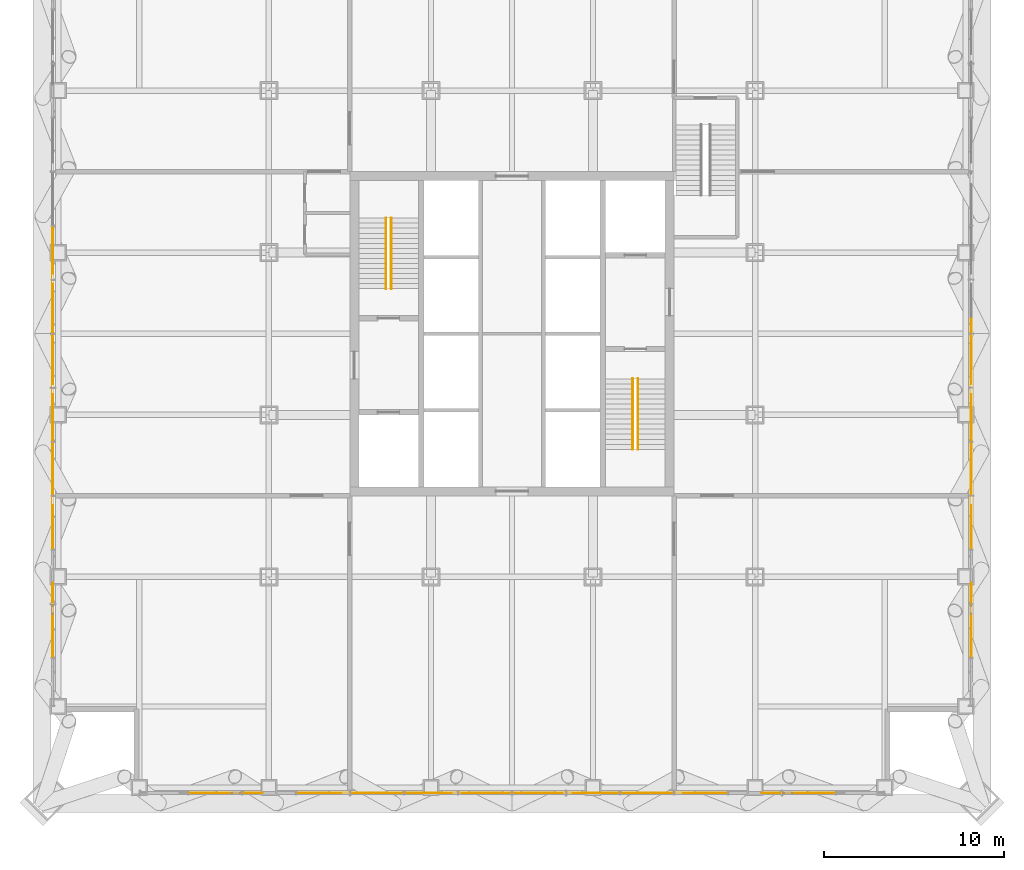
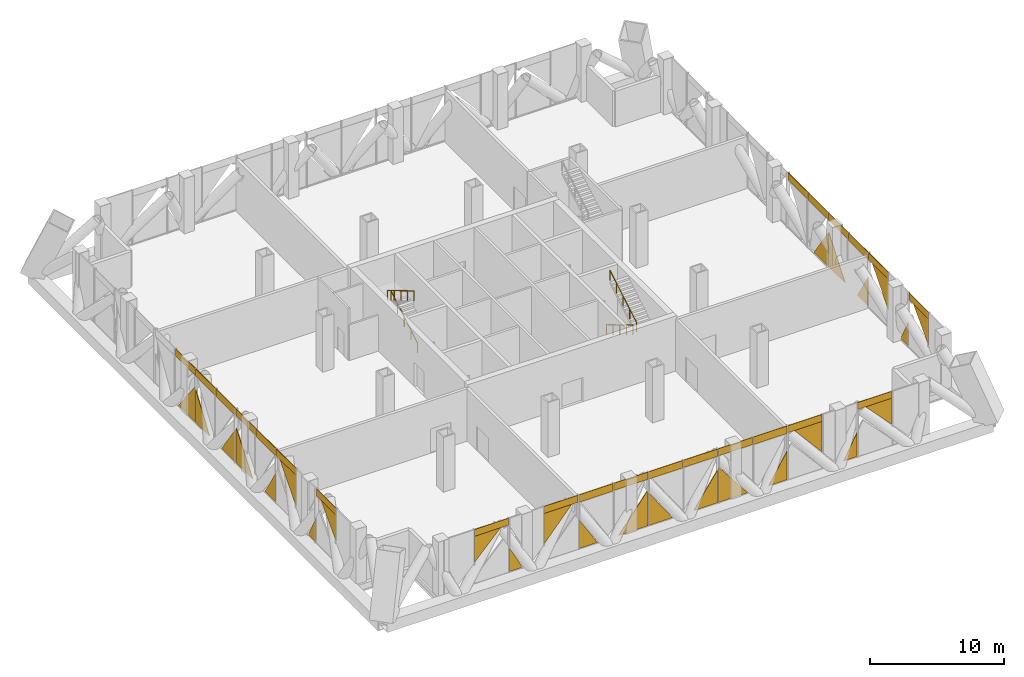
# One storey, part 16 of 26: 49 coverings, 4 railings.
"""IFC4 building model written with IfcOpenShell, lengths in metres."""

from ifc_helpers import new_model, si_unit, direction, frame, origin, origin_2d, place, context, subcontext, project, spatial, polyline, circle, outline, extrude, material, layer, layer_set, type_object, element, save


model = new_model("IFC4")

# Units and contexts
model_context = context("Model", 3, precision=1e-05, world=origin(), true_north=direction((0.0, 1.0)))
body_context = subcontext(model_context, "Body", "Model", "MODEL_VIEW")
ifc_project = project(units=[si_unit("LENGTHUNIT", "METRE"), si_unit("AREAUNIT", "SQUARE_METRE"), si_unit("VOLUMEUNIT", "CUBIC_METRE"), si_unit("PLANEANGLEUNIT", "RADIAN"), si_unit("MASSUNIT", "GRAM", prefix="KILO")], contexts=[model_context])

# Site, building, storey
site_placement = place(None, origin())
site = spatial("IfcSite", under=ifc_project, at=site_placement, CompositionType="ELEMENT")
building_placement = place(site_placement, origin())
building = spatial("IfcBuilding", under=site, at=building_placement, Name="Malebo Sky Hospital", CompositionType="ELEMENT")
storey_placement = place(building_placement, frame((0.0, 0.0, 95.0)))
storey = spatial("IfcBuildingStorey", under=building, at=storey_placement, Name="L22", CompositionType="ELEMENT", Elevation=95.0)

# Coverings
ifc_material_1 = material(Name="Anodised aluminium, natural silver insulated infill panel", Category="aluminium")
ifc_layer = layer(ifc_material_1, 0.0400390625)
ifc_layer_set = layer_set([ifc_layer], Name="BRACE INFILL PANEL 40")
covering_type = type_object("IfcCoveringType", Name="BRACE INFILL PANEL 40", PredefinedType="CLADDING", material=ifc_layer_set)
covering_1_placement = place(storey_placement, frame((34.5, 45.162353515625, 1.97998046875), z_axis=(0.0, 0.0, 1.0), x_axis=(0.0, 1.0, 0.0)))
element("IfcCovering", 1, at=covering_1_placement, inside=storey, type_object=covering_type, Name="Brace infill panel 2.1", PredefinedType="CLADDING", context=body_context, shape_type="SweptSolid", body=[
    extrude(outline(polyline([(-1.124755859375, 0.0), (1.124755859375, 2.38330078125), (-1.124755859375, 2.38330078125), (-1.124755859375, 0.0)])), frame((0.0, 0.02001953125, 0.0), z_axis=(0.0, -1.0, 0.0), x_axis=(1.0, 0.0, 0.0)), (0.0, 0.0, 1.0), 0.0400390625),
])
covering_2_placement = place(storey_placement, frame((34.5, 45.5, 4.36328125), z_axis=(0.0, 0.0, 1.0), x_axis=(0.0, 1.0, 0.0)))
element("IfcCovering", 2, at=covering_2_placement, inside=storey, type_object=covering_type, Name="Brace infill panel 2.2", PredefinedType="CLADDING", context=body_context, shape_type="SweptSolid", body=[
    extrude(outline(polyline([(-1.46240234375, 0.0), (1.46240234375, 0.0), (1.46240234375, 0.626708984375), (-1.46240234375, 0.626708984375), (-1.46240234375, 0.0)])), frame((0.0, 0.02001953125, 0.0), z_axis=(0.0, -1.0, 0.0), x_axis=(1.0, 0.0, 0.0)), (0.0, 0.0, 1.0), 0.0400390625),
])
covering_3_placement = place(storey_placement, frame((34.5, 47.60205078125, 0.10009765625), z_axis=(0.0, 0.0, 1.0), x_axis=(0.0, 1.0, 0.0)))
element("IfcCovering", 3, at=covering_3_placement, inside=storey, type_object=covering_type, Name="Brace infill panel 3.1", PredefinedType="CLADDING", context=body_context, shape_type="SweptSolid", body=[
    extrude(outline(polyline([(-0.564453125, 0.0), (0.564453125, 0.0), (-0.564453125, 2.160888671875), (-0.564453125, 0.0)])), frame((0.0, 0.02001953125, 0.0), z_axis=(0.0, -1.0, 0.0), x_axis=(1.0, 0.0, 0.0)), (0.0, 0.0, 1.0), 0.0400390625),
])
covering_4_placement = place(storey_placement, frame((34.5, 51.230712890625, 1.5751953125), z_axis=(0.0, 0.0, 1.0), x_axis=(0.0, 1.0, 0.0)))
element("IfcCovering", 4, at=covering_4_placement, inside=storey, type_object=covering_type, Name="Brace infill panel 4.1", PredefinedType="CLADDING", context=body_context, shape_type="SweptSolid", body=[
    extrude(outline(polyline([(-1.193115234375, 0.0), (1.193115234375, 2.776123046875), (-1.193115234375, 2.776123046875), (-1.193115234375, 0.0)])), frame((0.0, 0.02001953125, 0.0), z_axis=(0.0, -1.0, 0.0), x_axis=(1.0, 0.0, 0.0)), (0.0, 0.0, 1.0), 0.0400390625),
])
covering_5_placement = place(storey_placement, frame((34.5, 51.5, 4.351318359375), z_axis=(0.0, 0.0, 1.0), x_axis=(0.0, 1.0, 0.0)))
element("IfcCovering", 5, at=covering_5_placement, inside=storey, type_object=covering_type, Name="Brace infill panel 4.2", PredefinedType="CLADDING", context=body_context, shape_type="SweptSolid", body=[
    extrude(outline(polyline([(-1.46240234375, 0.0), (1.46240234375, 0.0), (1.46240234375, 0.638671875), (-1.46240234375, 0.638671875), (-1.46240234375, 0.0)])), frame((0.0, 0.02001953125, 0.0), z_axis=(0.0, -1.0, 0.0), x_axis=(1.0, 0.0, 0.0)), (0.0, 0.0, 1.0), 0.0400390625),
])
covering_6_placement = place(storey_placement, frame((34.5, 53.83251953125, 0.099853515625), z_axis=(0.0, 0.0, 1.0), x_axis=(0.0, 1.0, 0.0)))
element("IfcCovering", 6, at=covering_6_placement, inside=storey, type_object=covering_type, Name="Brace infill panel 5.1", PredefinedType="CLADDING", context=body_context, shape_type="SweptSolid", body=[
    extrude(outline(polyline([(-0.795166015625, 0.0), (0.794921875, 0.0), (-0.795166015625, 2.62060546875), (-0.795166015625, 0.0)])), frame((0.0, 0.02001953125, 0.0), z_axis=(0.0, -1.0, 0.0), x_axis=(1.0, 0.0, 0.0)), (0.0, 0.0, 1.0), 0.0400390625),
])
covering_7_placement = place(storey_placement, frame((34.5, 54.5, 4.307373046875), z_axis=(0.0, 0.0, 1.0), x_axis=(0.0, 1.0, 0.0)))
element("IfcCovering", 7, at=covering_7_placement, inside=storey, type_object=covering_type, Name="Brace infill panel 5.2", PredefinedType="CLADDING", context=body_context, shape_type="SweptSolid", body=[
    extrude(outline(polyline([(-1.46240234375, 0.0), (1.46240234375, 0.0), (1.46240234375, 0.6826171875), (-1.46240234375, 0.6826171875), (-1.46240234375, 0.0)])), frame((0.0, 0.02001953125, 0.0), z_axis=(0.0, -1.0, 0.0), x_axis=(1.0, 0.0, 0.0)), (0.0, 0.0, 1.0), 0.0400390625),
])
covering_8_placement = place(storey_placement, frame((34.5, 57.706298828125, 0.10009765625), z_axis=(0.0, 0.0, 1.0), x_axis=(0.0, 1.0, 0.0)))
element("IfcCovering", 8, at=covering_8_placement, inside=storey, type_object=covering_type, Name="Brace infill panel 6.1", PredefinedType="CLADDING", context=body_context, shape_type="SweptSolid", body=[
    extrude(outline(polyline([(-1.256103515625, 0.0), (1.256103515625, 0.0), (1.256103515625, 3.0771484375), (1.196533203125, 3.16357421875), (-1.256103515625, 0.0)])), frame((0.0, 0.02001953125, 0.0), z_axis=(0.0, -1.0, 0.0), x_axis=(1.0, 0.0, 0.0)), (0.0, 0.0, 1.0), 0.0400390625),
])
covering_9_placement = place(storey_placement, frame((34.5, 57.5, 4.337890625), z_axis=(0.0, 0.0, 1.0), x_axis=(0.0, 1.0, 0.0)))
element("IfcCovering", 9, at=covering_9_placement, inside=storey, type_object=covering_type, Name="Brace infill panel 6.2", PredefinedType="CLADDING", context=body_context, shape_type="SweptSolid", body=[
    extrude(outline(polyline([(-1.46240234375, 0.0), (1.46240234375, 0.0), (1.46240234375, 0.652099609375), (-1.46240234375, 0.652099609375), (-1.46240234375, 0.0)])), frame((0.0, 0.02001953125, 0.0), z_axis=(0.0, -1.0, 0.0), x_axis=(1.0, 0.0, 0.0)), (0.0, 0.0, 1.0), 0.0400390625),
])
covering_10_placement = place(storey_placement, frame((34.5, 60.063232421875, 0.099853515625), z_axis=(0.0, 0.0, 1.0), x_axis=(0.0, 1.0, 0.0)))
element("IfcCovering", 10, at=covering_10_placement, inside=storey, type_object=covering_type, Name="Brace infill panel 7.1", PredefinedType="CLADDING", context=body_context, shape_type="SweptSolid", body=[
    extrude(outline(polyline([(-1.025634765625, 0.0), (1.025634765625, 0.0), (-1.025634765625, 2.96875), (-1.025634765625, 0.0)])), frame((0.0, 0.02001953125, 0.0), z_axis=(0.0, -1.0, 0.0), x_axis=(1.0, 0.0, 0.0)), (0.0, 0.0, 1.0), 0.0400390625),
])
covering_11_placement = place(storey_placement, frame((34.5, 60.5, 4.3232421875), z_axis=(0.0, 0.0, 1.0), x_axis=(0.0, 1.0, 0.0)))
element("IfcCovering", 11, at=covering_11_placement, inside=storey, type_object=covering_type, Name="Brace infill panel 7.2", PredefinedType="CLADDING", context=body_context, shape_type="SweptSolid", body=[
    extrude(outline(polyline([(-1.46240234375, 0.0), (1.46240234375, 0.0), (1.46240234375, 0.666748046875), (-1.46240234375, 0.666748046875), (-1.46240234375, 0.0)])), frame((0.0, 0.02001953125, 0.0), z_axis=(0.0, -1.0, 0.0), x_axis=(1.0, 0.0, 0.0)), (0.0, 0.0, 1.0), 0.0400390625),
])
covering_12_placement = place(storey_placement, frame((34.5, 63.936767578125, 0.099853515625), z_axis=(0.0, 0.0, 1.0), x_axis=(0.0, 1.0, 0.0)))
element("IfcCovering", 12, at=covering_12_placement, inside=storey, type_object=covering_type, Name="Brace infill panel 8.1", PredefinedType="CLADDING", context=body_context, shape_type="SweptSolid", body=[
    extrude(outline(polyline([(-1.025634765625, 0.0), (1.025634765625, 0.0), (1.025634765625, 2.96875), (-1.025634765625, 0.0)])), frame((0.0, 0.02001953125, 0.0), z_axis=(0.0, -1.0, 0.0), x_axis=(1.0, 0.0, 0.0)), (0.0, 0.0, 1.0), 0.0400390625),
])
covering_13_placement = place(storey_placement, frame((34.5, 63.5, 4.3232421875), z_axis=(0.0, 0.0, 1.0), x_axis=(0.0, 1.0, 0.0)))
element("IfcCovering", 13, at=covering_13_placement, inside=storey, type_object=covering_type, Name="Brace infill panel 8.2", PredefinedType="CLADDING", context=body_context, shape_type="SweptSolid", body=[
    extrude(outline(polyline([(-1.46240234375, 0.0), (1.46240234375, 0.0), (1.46240234375, 0.666748046875), (-1.46240234375, 0.666748046875), (-1.46240234375, 0.0)])), frame((0.0, 0.02001953125, 0.0), z_axis=(0.0, -1.0, 0.0), x_axis=(1.0, 0.0, 0.0)), (0.0, 0.0, 1.0), 0.0400390625),
])
covering_14_placement = place(storey_placement, frame((34.5, 66.293701171875, 0.10009765625), z_axis=(0.0, 0.0, 1.0), x_axis=(0.0, 1.0, 0.0)))
element("IfcCovering", 14, at=covering_14_placement, inside=storey, type_object=covering_type, Name="Brace infill panel 9.1", PredefinedType="CLADDING", context=body_context, shape_type="SweptSolid", body=[
    extrude(outline(polyline([(-1.256103515625, 0.0), (1.256103515625, 0.0), (-1.196533203125, 3.16357421875), (-1.256103515625, 3.0771484375), (-1.256103515625, 0.0)])), frame((0.0, 0.02001953125, 0.0), z_axis=(0.0, -1.0, 0.0), x_axis=(1.0, 0.0, 0.0)), (0.0, 0.0, 1.0), 0.0400390625),
])
covering_15_placement = place(storey_placement, frame((34.5, 66.5, 4.337890625), z_axis=(0.0, 0.0, 1.0), x_axis=(0.0, 1.0, 0.0)))
element("IfcCovering", 15, at=covering_15_placement, inside=storey, type_object=covering_type, Name="Brace infill panel 9.2", PredefinedType="CLADDING", context=body_context, shape_type="SweptSolid", body=[
    extrude(outline(polyline([(-1.46240234375, 0.0), (1.46240234375, 0.0), (1.46240234375, 0.652099609375), (-1.46240234375, 0.652099609375), (-1.46240234375, 0.0)])), frame((0.0, 0.02001953125, 0.0), z_axis=(0.0, -1.0, 0.0), x_axis=(1.0, 0.0, 0.0)), (0.0, 0.0, 1.0), 0.0400390625),
])
covering_16_placement = place(storey_placement, frame((76.837646484375, 36.5, 1.97998046875), z_axis=(0.0, 0.0, 1.0), x_axis=(-1.0, 0.0, 0.0)))
element("IfcCovering", 16, at=covering_16_placement, inside=storey, type_object=covering_type, Name="Brace infill panel 2.1", PredefinedType="CLADDING", context=body_context, shape_type="SweptSolid", body=[
    extrude(outline(polyline([(-1.124755859375, 0.0), (1.124755859375, 2.38330078125), (-1.124755859375, 2.38330078125), (-1.124755859375, 0.0)])), frame((0.0, 0.02001953125, 0.0), z_axis=(0.0, -1.0, 0.0), x_axis=(1.0, 0.0, 0.0)), (0.0, 0.0, 1.0), 0.0400390625),
])
covering_17_placement = place(storey_placement, frame((76.5, 36.5, 4.36328125), z_axis=(0.0, 0.0, 1.0), x_axis=(-1.0, 0.0, 0.0)))
element("IfcCovering", 17, at=covering_17_placement, inside=storey, type_object=covering_type, Name="Brace infill panel 2.2", PredefinedType="CLADDING", context=body_context, shape_type="SweptSolid", body=[
    extrude(outline(polyline([(-1.46240234375, 0.0), (1.46240234375, 0.0), (1.46240234375, 0.626708984375), (-1.46240234375, 0.626708984375), (-1.46240234375, 0.0)])), frame((0.0, 0.02001953125, 0.0), z_axis=(0.0, -1.0, 0.0), x_axis=(1.0, 0.0, 0.0)), (0.0, 0.0, 1.0), 0.0400390625),
])
covering_18_placement = place(storey_placement, frame((74.39794921875, 36.5, 0.10009765625), z_axis=(0.0, 0.0, 1.0), x_axis=(-1.0, 0.0, 0.0)))
element("IfcCovering", 18, at=covering_18_placement, inside=storey, type_object=covering_type, Name="Brace infill panel 3.1", PredefinedType="CLADDING", context=body_context, shape_type="SweptSolid", body=[
    extrude(outline(polyline([(-0.564453125, 0.0), (0.564453125, 0.0), (-0.564453125, 2.160888671875), (-0.564453125, 0.0)])), frame((0.0, 0.02001953125, 0.0), z_axis=(0.0, -1.0, 0.0), x_axis=(1.0, 0.0, 0.0)), (0.0, 0.0, 1.0), 0.0400390625),
])
covering_19_placement = place(storey_placement, frame((70.769287109375, 36.5, 1.5751953125), z_axis=(0.0, 0.0, 1.0), x_axis=(-1.0, 0.0, 0.0)))
element("IfcCovering", 19, at=covering_19_placement, inside=storey, type_object=covering_type, Name="Brace infill panel 4.1", PredefinedType="CLADDING", context=body_context, shape_type="SweptSolid", body=[
    extrude(outline(polyline([(-1.193115234375, 0.0), (1.193115234375, 2.776123046875), (-1.193115234375, 2.776123046875), (-1.193115234375, 0.0)])), frame((0.0, 0.02001953125, 0.0), z_axis=(0.0, -1.0, 0.0), x_axis=(1.0, 0.0, 0.0)), (0.0, 0.0, 1.0), 0.0400390625),
])
covering_20_placement = place(storey_placement, frame((70.5, 36.5, 4.351318359375), z_axis=(0.0, 0.0, 1.0), x_axis=(-1.0, 0.0, 0.0)))
element("IfcCovering", 20, at=covering_20_placement, inside=storey, type_object=covering_type, Name="Brace infill panel 4.2", PredefinedType="CLADDING", context=body_context, shape_type="SweptSolid", body=[
    extrude(outline(polyline([(-1.46240234375, 0.0), (1.46240234375, 0.0), (1.46240234375, 0.638671875), (-1.46240234375, 0.638671875), (-1.46240234375, 0.0)])), frame((0.0, 0.02001953125, 0.0), z_axis=(0.0, -1.0, 0.0), x_axis=(1.0, 0.0, 0.0)), (0.0, 0.0, 1.0), 0.0400390625),
])
covering_21_placement = place(storey_placement, frame((68.16748046875, 36.5, 0.099853515625), z_axis=(0.0, 0.0, 1.0), x_axis=(-1.0, 0.0, 0.0)))
element("IfcCovering", 21, at=covering_21_placement, inside=storey, type_object=covering_type, Name="Brace infill panel 5.1", PredefinedType="CLADDING", context=body_context, shape_type="SweptSolid", body=[
    extrude(outline(polyline([(-0.795166015625, 0.0), (0.794921875, 0.0), (-0.795166015625, 2.62060546875), (-0.795166015625, 0.0)])), frame((0.0, 0.02001953125, 0.0), z_axis=(0.0, -1.0, 0.0), x_axis=(1.0, 0.0, 0.0)), (0.0, 0.0, 1.0), 0.0400390625),
])
covering_22_placement = place(storey_placement, frame((67.5, 36.5, 4.307373046875), z_axis=(0.0, 0.0, 1.0), x_axis=(-1.0, 0.0, 0.0)))
element("IfcCovering", 22, at=covering_22_placement, inside=storey, type_object=covering_type, Name="Brace infill panel 5.2", PredefinedType="CLADDING", context=body_context, shape_type="SweptSolid", body=[
    extrude(outline(polyline([(-1.46240234375, 0.0), (1.46240234375, 0.0), (1.46240234375, 0.6826171875), (-1.46240234375, 0.6826171875), (-1.46240234375, 0.0)])), frame((0.0, 0.02001953125, 0.0), z_axis=(0.0, -1.0, 0.0), x_axis=(1.0, 0.0, 0.0)), (0.0, 0.0, 1.0), 0.0400390625),
])
covering_23_placement = place(storey_placement, frame((64.293701171875, 36.5, 0.10009765625), z_axis=(0.0, 0.0, 1.0), x_axis=(-1.0, 0.0, 0.0)))
element("IfcCovering", 23, at=covering_23_placement, inside=storey, type_object=covering_type, Name="Brace infill panel 6.1", PredefinedType="CLADDING", context=body_context, shape_type="SweptSolid", body=[
    extrude(outline(polyline([(-1.256103515625, 0.0), (1.256103515625, 0.0), (1.256103515625, 3.0771484375), (1.196533203125, 3.16357421875), (-1.256103515625, 0.0)])), frame((0.0, 0.02001953125, 0.0), z_axis=(0.0, -1.0, 0.0), x_axis=(1.0, 0.0, 0.0)), (0.0, 0.0, 1.0), 0.0400390625),
])
covering_24_placement = place(storey_placement, frame((64.5, 36.5, 4.337890625), z_axis=(0.0, 0.0, 1.0), x_axis=(-1.0, 0.0, 0.0)))
element("IfcCovering", 24, at=covering_24_placement, inside=storey, type_object=covering_type, Name="Brace infill panel 6.2", PredefinedType="CLADDING", context=body_context, shape_type="SweptSolid", body=[
    extrude(outline(polyline([(-1.46240234375, 0.0), (1.46240234375, 0.0), (1.46240234375, 0.652099609375), (-1.46240234375, 0.652099609375), (-1.46240234375, 0.0)])), frame((0.0, 0.02001953125, 0.0), z_axis=(0.0, -1.0, 0.0), x_axis=(1.0, 0.0, 0.0)), (0.0, 0.0, 1.0), 0.0400390625),
])
covering_25_placement = place(storey_placement, frame((61.936767578125, 36.5, 0.099853515625), z_axis=(0.0, 0.0, 1.0), x_axis=(-1.0, 0.0, 0.0)))
element("IfcCovering", 25, at=covering_25_placement, inside=storey, type_object=covering_type, Name="Brace infill panel 7.1", PredefinedType="CLADDING", context=body_context, shape_type="SweptSolid", body=[
    extrude(outline(polyline([(-1.025634765625, 0.0), (1.025634765625, 0.0), (-1.025634765625, 2.96875), (-1.025634765625, 0.0)])), frame((0.0, 0.02001953125, 0.0), z_axis=(0.0, -1.0, 0.0), x_axis=(1.0, 0.0, 0.0)), (0.0, 0.0, 1.0), 0.0400390625),
])
covering_26_placement = place(storey_placement, frame((61.5, 36.5, 4.3232421875), z_axis=(0.0, 0.0, 1.0), x_axis=(-1.0, 0.0, 0.0)))
element("IfcCovering", 26, at=covering_26_placement, inside=storey, type_object=covering_type, Name="Brace infill panel 7.2", PredefinedType="CLADDING", context=body_context, shape_type="SweptSolid", body=[
    extrude(outline(polyline([(-1.46240234375, 0.0), (1.46240234375, 0.0), (1.46240234375, 0.666748046875), (-1.46240234375, 0.666748046875), (-1.46240234375, 0.0)])), frame((0.0, 0.02001953125, 0.0), z_axis=(0.0, -1.0, 0.0), x_axis=(1.0, 0.0, 0.0)), (0.0, 0.0, 1.0), 0.0400390625),
])
covering_27_placement = place(storey_placement, frame((58.063232421875, 36.5, 0.099853515625), z_axis=(0.0, 0.0, 1.0), x_axis=(-1.0, 0.0, 0.0)))
element("IfcCovering", 27, at=covering_27_placement, inside=storey, type_object=covering_type, Name="Brace infill panel 8.1", PredefinedType="CLADDING", context=body_context, shape_type="SweptSolid", body=[
    extrude(outline(polyline([(-1.025634765625, 0.0), (1.025634765625, 0.0), (1.025634765625, 2.96875), (-1.025634765625, 0.0)])), frame((0.0, 0.02001953125, 0.0), z_axis=(0.0, -1.0, 0.0), x_axis=(1.0, 0.0, 0.0)), (0.0, 0.0, 1.0), 0.0400390625),
])
covering_28_placement = place(storey_placement, frame((58.5, 36.5, 4.3232421875), z_axis=(0.0, 0.0, 1.0), x_axis=(-1.0, 0.0, 0.0)))
element("IfcCovering", 28, at=covering_28_placement, inside=storey, type_object=covering_type, Name="Brace infill panel 8.2", PredefinedType="CLADDING", context=body_context, shape_type="SweptSolid", body=[
    extrude(outline(polyline([(-1.46240234375, 0.0), (1.46240234375, 0.0), (1.46240234375, 0.666748046875), (-1.46240234375, 0.666748046875), (-1.46240234375, 0.0)])), frame((0.0, 0.02001953125, 0.0), z_axis=(0.0, -1.0, 0.0), x_axis=(1.0, 0.0, 0.0)), (0.0, 0.0, 1.0), 0.0400390625),
])
covering_29_placement = place(storey_placement, frame((55.706298828125, 36.5, 0.10009765625), z_axis=(0.0, 0.0, 1.0), x_axis=(-1.0, 0.0, 0.0)))
element("IfcCovering", 29, at=covering_29_placement, inside=storey, type_object=covering_type, Name="Brace infill panel 9.1", PredefinedType="CLADDING", context=body_context, shape_type="SweptSolid", body=[
    extrude(outline(polyline([(-1.256103515625, 0.0), (1.256103515625, 0.0), (-1.196533203125, 3.16357421875), (-1.256103515625, 3.0771484375), (-1.256103515625, 0.0)])), frame((0.0, 0.02001953125, 0.0), z_axis=(0.0, -1.0, 0.0), x_axis=(1.0, 0.0, 0.0)), (0.0, 0.0, 1.0), 0.0400390625),
])
covering_30_placement = place(storey_placement, frame((55.5, 36.5, 4.337890625), z_axis=(0.0, 0.0, 1.0), x_axis=(-1.0, 0.0, 0.0)))
element("IfcCovering", 30, at=covering_30_placement, inside=storey, type_object=covering_type, Name="Brace infill panel 9.2", PredefinedType="CLADDING", context=body_context, shape_type="SweptSolid", body=[
    extrude(outline(polyline([(-1.46240234375, 0.0), (1.46240234375, 0.0), (1.46240234375, 0.652099609375), (-1.46240234375, 0.652099609375), (-1.46240234375, 0.0)])), frame((0.0, 0.02001953125, 0.0), z_axis=(0.0, -1.0, 0.0), x_axis=(1.0, 0.0, 0.0)), (0.0, 0.0, 1.0), 0.0400390625),
])
covering_31_placement = place(storey_placement, frame((51.83251953125, 36.5, 0.099853515625), z_axis=(0.0, 0.0, 1.0), x_axis=(-1.0, 0.0, 0.0)))
element("IfcCovering", 31, at=covering_31_placement, inside=storey, type_object=covering_type, Name="Brace infill panel 10.1", PredefinedType="CLADDING", context=body_context, shape_type="SweptSolid", body=[
    extrude(outline(polyline([(-0.794921875, 0.0), (0.795166015625, 0.0), (0.795166015625, 2.62060546875), (-0.794921875, 0.0)])), frame((0.0, 0.02001953125, 0.0), z_axis=(0.0, -1.0, 0.0), x_axis=(1.0, 0.0, 0.0)), (0.0, 0.0, 1.0), 0.0400390625),
])
covering_32_placement = place(storey_placement, frame((52.5, 36.5, 4.307373046875), z_axis=(0.0, 0.0, 1.0), x_axis=(-1.0, 0.0, 0.0)))
element("IfcCovering", 32, at=covering_32_placement, inside=storey, type_object=covering_type, Name="Brace infill panel 10.2", PredefinedType="CLADDING", context=body_context, shape_type="SweptSolid", body=[
    extrude(outline(polyline([(-1.46240234375, 0.0), (1.46240234375, 0.0), (1.46240234375, 0.6826171875), (-1.46240234375, 0.6826171875), (-1.46240234375, 0.0)])), frame((0.0, 0.02001953125, 0.0), z_axis=(0.0, -1.0, 0.0), x_axis=(1.0, 0.0, 0.0)), (0.0, 0.0, 1.0), 0.0400390625),
])
covering_33_placement = place(storey_placement, frame((49.230712890625, 36.5, 1.5751953125), z_axis=(0.0, 0.0, 1.0), x_axis=(-1.0, 0.0, 0.0)))
element("IfcCovering", 33, at=covering_33_placement, inside=storey, type_object=covering_type, Name="Brace infill panel 11.1", PredefinedType="CLADDING", context=body_context, shape_type="SweptSolid", body=[
    extrude(outline(polyline([(1.193115234375, 0.0), (1.193115234375, 2.776123046875), (-1.193115234375, 2.776123046875), (1.193115234375, 0.0)])), frame((0.0, 0.02001953125, 0.0), z_axis=(0.0, -1.0, 0.0), x_axis=(1.0, 0.0, 0.0)), (0.0, 0.0, 1.0), 0.0400390625),
])
covering_34_placement = place(storey_placement, frame((49.5, 36.5, 4.351318359375), z_axis=(0.0, 0.0, 1.0), x_axis=(-1.0, 0.0, 0.0)))
element("IfcCovering", 34, at=covering_34_placement, inside=storey, type_object=covering_type, Name="Brace infill panel 11.2", PredefinedType="CLADDING", context=body_context, shape_type="SweptSolid", body=[
    extrude(outline(polyline([(-1.46240234375, 0.0), (1.46240234375, 0.0), (1.46240234375, 0.638671875), (-1.46240234375, 0.638671875), (-1.46240234375, 0.0)])), frame((0.0, 0.02001953125, 0.0), z_axis=(0.0, -1.0, 0.0), x_axis=(1.0, 0.0, 0.0)), (0.0, 0.0, 1.0), 0.0400390625),
])
covering_35_placement = place(storey_placement, frame((45.60205078125, 36.5, 0.10009765625), z_axis=(0.0, 0.0, 1.0), x_axis=(-1.0, 0.0, 0.0)))
element("IfcCovering", 35, at=covering_35_placement, inside=storey, type_object=covering_type, Name="Brace infill panel 12.1", PredefinedType="CLADDING", context=body_context, shape_type="SweptSolid", body=[
    extrude(outline(polyline([(-0.564453125, 0.0), (0.564453125, 0.0), (0.564453125, 2.160888671875), (-0.564453125, 0.0)])), frame((0.0, 0.02001953125, 0.0), z_axis=(0.0, -1.0, 0.0), x_axis=(1.0, 0.0, 0.0)), (0.0, 0.0, 1.0), 0.0400390625),
])
covering_36_placement = place(storey_placement, frame((43.162353515625, 36.5, 1.97998046875), z_axis=(0.0, 0.0, 1.0), x_axis=(-1.0, 0.0, 0.0)))
element("IfcCovering", 36, at=covering_36_placement, inside=storey, type_object=covering_type, Name="Brace infill panel 13.1", PredefinedType="CLADDING", context=body_context, shape_type="SweptSolid", body=[
    extrude(outline(polyline([(1.124755859375, 0.0), (1.124755859375, 2.38330078125), (-1.124755859375, 2.38330078125), (1.124755859375, 0.0)])), frame((0.0, 0.02001953125, 0.0), z_axis=(0.0, -1.0, 0.0), x_axis=(1.0, 0.0, 0.0)), (0.0, 0.0, 1.0), 0.0400390625),
])
covering_37_placement = place(storey_placement, frame((43.5, 36.5, 4.36328125), z_axis=(0.0, 0.0, 1.0), x_axis=(-1.0, 0.0, 0.0)))
element("IfcCovering", 37, at=covering_37_placement, inside=storey, type_object=covering_type, Name="Brace infill panel 13.2", PredefinedType="CLADDING", context=body_context, shape_type="SweptSolid", body=[
    extrude(outline(polyline([(-1.46240234375, 0.0), (1.46240234375, 0.0), (1.46240234375, 0.626708984375), (-1.46240234375, 0.626708984375), (-1.46240234375, 0.0)])), frame((0.0, 0.02001953125, 0.0), z_axis=(0.0, -1.0, 0.0), x_axis=(1.0, 0.0, 0.0)), (0.0, 0.0, 1.0), 0.0400390625),
])
covering_38_placement = place(storey_placement, frame((85.5, 63.5, 4.3232421875), z_axis=(0.0, 0.0, 1.0), x_axis=(0.0, -1.0, 0.0)))
element("IfcCovering", 38, at=covering_38_placement, inside=storey, type_object=covering_type, Name="Brace infill panel 7.2", PredefinedType="CLADDING", context=body_context, shape_type="SweptSolid", body=[
    extrude(outline(polyline([(-1.46240234375, 0.0), (1.46240234375, 0.0), (1.46240234375, 0.666748046875), (-1.46240234375, 0.666748046875), (-1.46240234375, 0.0)])), frame((0.0, 0.02001953125, 0.0), z_axis=(0.0, -1.0, 0.0), x_axis=(1.0, 0.0, 0.0)), (0.0, 0.0, 1.0), 0.0400390625),
])
covering_39_placement = place(storey_placement, frame((85.5, 60.063232421875, 0.099853515625), z_axis=(0.0, 0.0, 1.0), x_axis=(0.0, -1.0, 0.0)))
element("IfcCovering", 39, at=covering_39_placement, inside=storey, type_object=covering_type, Name="Brace infill panel 8.1", PredefinedType="CLADDING", context=body_context, shape_type="SweptSolid", body=[
    extrude(outline(polyline([(-1.025634765625, 0.0), (1.025634765625, 0.0), (1.025634765625, 2.96875), (-1.025634765625, 0.0)])), frame((0.0, 0.02001953125, 0.0), z_axis=(0.0, -1.0, 0.0), x_axis=(1.0, 0.0, 0.0)), (0.0, 0.0, 1.0), 0.0400390625),
])
covering_40_placement = place(storey_placement, frame((85.5, 60.5, 4.3232421875), z_axis=(0.0, 0.0, 1.0), x_axis=(0.0, -1.0, 0.0)))
element("IfcCovering", 40, at=covering_40_placement, inside=storey, type_object=covering_type, Name="Brace infill panel 8.2", PredefinedType="CLADDING", context=body_context, shape_type="SweptSolid", body=[
    extrude(outline(polyline([(-1.46240234375, 0.0), (1.46240234375, 0.0), (1.46240234375, 0.666748046875), (-1.46240234375, 0.666748046875), (-1.46240234375, 0.0)])), frame((0.0, 0.02001953125, 0.0), z_axis=(0.0, -1.0, 0.0), x_axis=(1.0, 0.0, 0.0)), (0.0, 0.0, 1.0), 0.0400390625),
])
covering_41_placement = place(storey_placement, frame((85.5, 57.706298828125, 0.10009765625), z_axis=(0.0, 0.0, 1.0), x_axis=(0.0, -1.0, 0.0)))
element("IfcCovering", 41, at=covering_41_placement, inside=storey, type_object=covering_type, Name="Brace infill panel 9.1", PredefinedType="CLADDING", context=body_context, shape_type="SweptSolid", body=[
    extrude(outline(polyline([(-1.256103515625, 0.0), (1.256103515625, 0.0), (-1.196533203125, 3.16357421875), (-1.256103515625, 3.0771484375), (-1.256103515625, 0.0)])), frame((0.0, 0.02001953125, 0.0), z_axis=(0.0, -1.0, 0.0), x_axis=(1.0, 0.0, 0.0)), (0.0, 0.0, 1.0), 0.0400390625),
])
covering_42_placement = place(storey_placement, frame((85.5, 57.5, 4.337890625), z_axis=(0.0, 0.0, 1.0), x_axis=(0.0, -1.0, 0.0)))
element("IfcCovering", 42, at=covering_42_placement, inside=storey, type_object=covering_type, Name="Brace infill panel 9.2", PredefinedType="CLADDING", context=body_context, shape_type="SweptSolid", body=[
    extrude(outline(polyline([(-1.46240234375, 0.0), (1.46240234375, 0.0), (1.46240234375, 0.652099609375), (-1.46240234375, 0.652099609375), (-1.46240234375, 0.0)])), frame((0.0, 0.02001953125, 0.0), z_axis=(0.0, -1.0, 0.0), x_axis=(1.0, 0.0, 0.0)), (0.0, 0.0, 1.0), 0.0400390625),
])
covering_43_placement = place(storey_placement, frame((85.5, 53.83251953125, 0.099853515625), z_axis=(0.0, 0.0, 1.0), x_axis=(0.0, -1.0, 0.0)))
element("IfcCovering", 43, at=covering_43_placement, inside=storey, type_object=covering_type, Name="Brace infill panel 10.1", PredefinedType="CLADDING", context=body_context, shape_type="SweptSolid", body=[
    extrude(outline(polyline([(-0.794921875, 0.0), (0.795166015625, 0.0), (0.795166015625, 2.62060546875), (-0.794921875, 0.0)])), frame((0.0, 0.02001953125, 0.0), z_axis=(0.0, -1.0, 0.0), x_axis=(1.0, 0.0, 0.0)), (0.0, 0.0, 1.0), 0.0400390625),
])
covering_44_placement = place(storey_placement, frame((85.5, 54.5, 4.307373046875), z_axis=(0.0, 0.0, 1.0), x_axis=(0.0, -1.0, 0.0)))
element("IfcCovering", 44, at=covering_44_placement, inside=storey, type_object=covering_type, Name="Brace infill panel 10.2", PredefinedType="CLADDING", context=body_context, shape_type="SweptSolid", body=[
    extrude(outline(polyline([(-1.46240234375, 0.0), (1.46240234375, 0.0), (1.46240234375, 0.6826171875), (-1.46240234375, 0.6826171875), (-1.46240234375, 0.0)])), frame((0.0, 0.02001953125, 0.0), z_axis=(0.0, -1.0, 0.0), x_axis=(1.0, 0.0, 0.0)), (0.0, 0.0, 1.0), 0.0400390625),
])
covering_45_placement = place(storey_placement, frame((85.5, 51.230712890625, 1.5751953125), z_axis=(0.0, 0.0, 1.0), x_axis=(0.0, -1.0, 0.0)))
element("IfcCovering", 45, at=covering_45_placement, inside=storey, type_object=covering_type, Name="Brace infill panel 11.1", PredefinedType="CLADDING", context=body_context, shape_type="SweptSolid", body=[
    extrude(outline(polyline([(1.193115234375, 0.0), (1.193115234375, 2.776123046875), (-1.193115234375, 2.776123046875), (1.193115234375, 0.0)])), frame((0.0, 0.02001953125, 0.0), z_axis=(0.0, -1.0, 0.0), x_axis=(1.0, 0.0, 0.0)), (0.0, 0.0, 1.0), 0.0400390625),
])
covering_46_placement = place(storey_placement, frame((85.5, 51.5, 4.351318359375), z_axis=(0.0, 0.0, 1.0), x_axis=(0.0, -1.0, 0.0)))
element("IfcCovering", 46, at=covering_46_placement, inside=storey, type_object=covering_type, Name="Brace infill panel 11.2", PredefinedType="CLADDING", context=body_context, shape_type="SweptSolid", body=[
    extrude(outline(polyline([(-1.46240234375, 0.0), (1.46240234375, 0.0), (1.46240234375, 0.638671875), (-1.46240234375, 0.638671875), (-1.46240234375, 0.0)])), frame((0.0, 0.02001953125, 0.0), z_axis=(0.0, -1.0, 0.0), x_axis=(1.0, 0.0, 0.0)), (0.0, 0.0, 1.0), 0.0400390625),
])
covering_47_placement = place(storey_placement, frame((85.5, 47.60205078125, 0.10009765625), z_axis=(0.0, 0.0, 1.0), x_axis=(0.0, -1.0, 0.0)))
element("IfcCovering", 47, at=covering_47_placement, inside=storey, type_object=covering_type, Name="Brace infill panel 12.1", PredefinedType="CLADDING", context=body_context, shape_type="SweptSolid", body=[
    extrude(outline(polyline([(-0.564453125, 0.0), (0.564453125, 0.0), (0.564453125, 2.160888671875), (-0.564453125, 0.0)])), frame((0.0, 0.02001953125, 0.0), z_axis=(0.0, -1.0, 0.0), x_axis=(1.0, 0.0, 0.0)), (0.0, 0.0, 1.0), 0.0400390625),
])
covering_48_placement = place(storey_placement, frame((85.5, 45.162353515625, 1.97998046875), z_axis=(0.0, 0.0, 1.0), x_axis=(0.0, -1.0, 0.0)))
element("IfcCovering", 48, at=covering_48_placement, inside=storey, type_object=covering_type, Name="Brace infill panel 13.1", PredefinedType="CLADDING", context=body_context, shape_type="SweptSolid", body=[
    extrude(outline(polyline([(1.124755859375, 0.0), (1.124755859375, 2.38330078125), (-1.124755859375, 2.38330078125), (1.124755859375, 0.0)])), frame((0.0, 0.02001953125, 0.0), z_axis=(0.0, -1.0, 0.0), x_axis=(1.0, 0.0, 0.0)), (0.0, 0.0, 1.0), 0.0400390625),
])
covering_49_placement = place(storey_placement, frame((85.5, 45.5, 4.36328125), z_axis=(0.0, 0.0, 1.0), x_axis=(0.0, -1.0, 0.0)))
element("IfcCovering", 49, at=covering_49_placement, inside=storey, type_object=covering_type, Name="Brace infill panel 13.2", PredefinedType="CLADDING", context=body_context, shape_type="SweptSolid", body=[
    extrude(outline(polyline([(-1.46240234375, 0.0), (1.46240234375, 0.0), (1.46240234375, 0.626708984375), (-1.46240234375, 0.626708984375), (-1.46240234375, 0.0)])), frame((0.0, 0.02001953125, 0.0), z_axis=(0.0, -1.0, 0.0), x_axis=(1.0, 0.0, 0.0)), (0.0, 0.0, 1.0), 0.0400390625),
])

# Railings
ifc_material_2 = material(Name="Stainless steel tube", Category="steel")
railing_type = type_object("IfcRailingType", Name="STAIR HANDRAIL 900", PredefinedType="HANDRAIL", material=ifc_material_2)
railing_1_placement = place(storey_placement, frame((53.300048828125, 64.5, 0.166748046875)))
element("IfcRailing", 50, at=railing_1_placement, inside=storey, type_object=railing_type, Name="Stair handrail S1 flight 1", PredefinedType="HANDRAIL", context=body_context, shape_type="SweptSolid", body=[
    extrude(circle(Radius=0.02392578125, at=origin_2d()), frame((0.0, 0.0, 0.8759765625), z_axis=(0.0, 0.859296244711, 0.511478214419), x_axis=(-1.0, 0.0, 0.0)), (0.0, 0.0, 1.0), 4.561767578125),
    extrude(circle(Radius=0.02099609375, at=origin_2d()), origin(), (0.0, 0.0, 1.0), 0.851806640625),
    extrude(circle(Radius=0.02099609375, at=origin_2d()), frame((0.0, 0.97998046875, 0.583251953125)), (0.0, 0.0, 1.0), 0.851806640625),
    extrude(circle(Radius=0.02099609375, at=origin_2d()), frame((0.0, 1.9599609375, 1.16650390625)), (0.0, 0.0, 1.0), 0.851806640625),
    extrude(circle(Radius=0.02099609375, at=origin_2d()), frame((0.0, 2.93994140625, 1.75)), (0.0, 0.0, 1.0), 0.851806640625),
    extrude(circle(Radius=0.02099609375, at=origin_2d()), frame((0.0, 3.919921875, 2.333251953125)), (0.0, 0.0, 1.0), 0.851806640625),
])
for number, where, name in (
    (51, (53.0, 68.419921875, 2.666748046875), "Stair handrail S1 flight 2"),
    (52, (66.699951171875, 59.5, 0.166748046875), "Stair handrail S2 flight 1"),
):
    element("IfcRailing", number, at=place(storey_placement, frame(where)), inside=storey, type_object=railing_type, Name=name, PredefinedType="HANDRAIL", context=body_context, shape_type="SweptSolid", body=[
        extrude(circle(Radius=0.02392578125, at=origin_2d()), frame((0.0, 0.0, 0.8759765625), z_axis=(0.0, -0.859296244711, 0.511478214419), x_axis=(1.0, 0.0, 0.0)), (0.0, 0.0, 1.0), 4.561767578125),
        extrude(circle(Radius=0.02099609375, at=origin_2d()), origin(), (0.0, 0.0, 1.0), 0.851806640625),
        extrude(circle(Radius=0.02099609375, at=origin_2d()), frame((0.0, -0.97998046875, 0.583251953125)), (0.0, 0.0, 1.0), 0.851806640625),
        extrude(circle(Radius=0.02099609375, at=origin_2d()), frame((0.0, -1.9599609375, 1.16650390625)), (0.0, 0.0, 1.0), 0.851806640625),
        extrude(circle(Radius=0.02099609375, at=origin_2d()), frame((0.0, -2.93994140625, 1.75)), (0.0, 0.0, 1.0), 0.851806640625),
        extrude(circle(Radius=0.02099609375, at=origin_2d()), frame((0.0, -3.919921875, 2.333251953125)), (0.0, 0.0, 1.0), 0.851806640625),
    ])
railing_2_placement = place(storey_placement, frame((67.0, 55.580078125, 2.666748046875)))
element("IfcRailing", 53, at=railing_2_placement, inside=storey, type_object=railing_type, Name="Stair handrail S2 flight 2", PredefinedType="HANDRAIL", context=body_context, shape_type="SweptSolid", body=[
    extrude(circle(Radius=0.02392578125, at=origin_2d()), frame((0.0, 0.0, 0.8759765625), z_axis=(0.0, 0.859296244711, 0.511478214419), x_axis=(-1.0, 0.0, 0.0)), (0.0, 0.0, 1.0), 4.561767578125),
    extrude(circle(Radius=0.02099609375, at=origin_2d()), origin(), (0.0, 0.0, 1.0), 0.851806640625),
    extrude(circle(Radius=0.02099609375, at=origin_2d()), frame((0.0, 0.97998046875, 0.583251953125)), (0.0, 0.0, 1.0), 0.851806640625),
    extrude(circle(Radius=0.02099609375, at=origin_2d()), frame((0.0, 1.9599609375, 1.16650390625)), (0.0, 0.0, 1.0), 0.851806640625),
    extrude(circle(Radius=0.02099609375, at=origin_2d()), frame((0.0, 2.93994140625, 1.75)), (0.0, 0.0, 1.0), 0.851806640625),
    extrude(circle(Radius=0.02099609375, at=origin_2d()), frame((0.0, 3.919921875, 2.333251953125)), (0.0, 0.0, 1.0), 0.851806640625),
])

save(model, "model.ifc")
